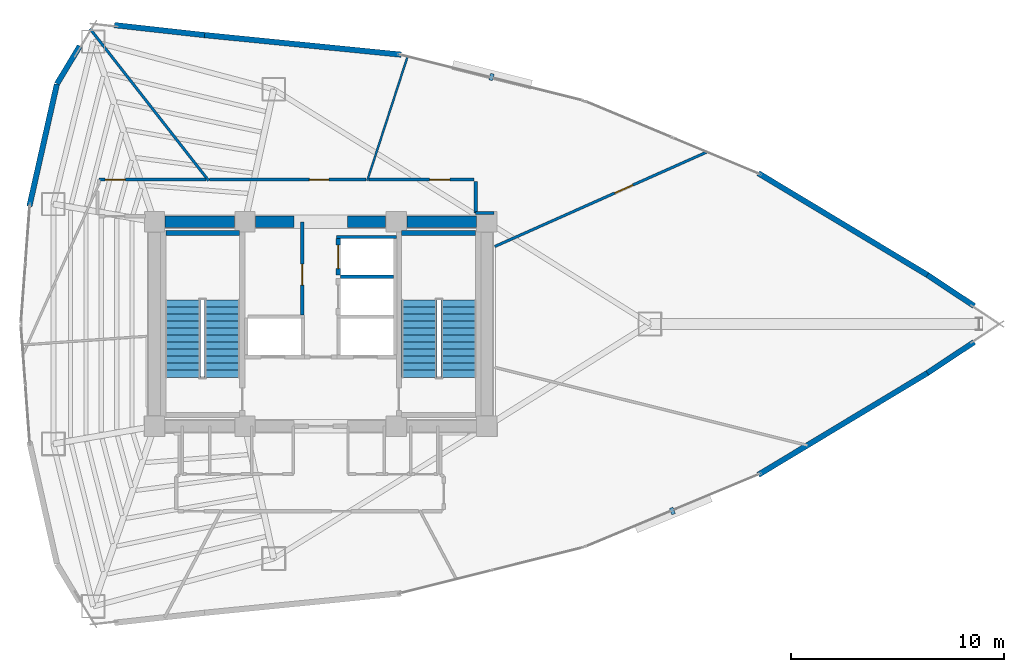
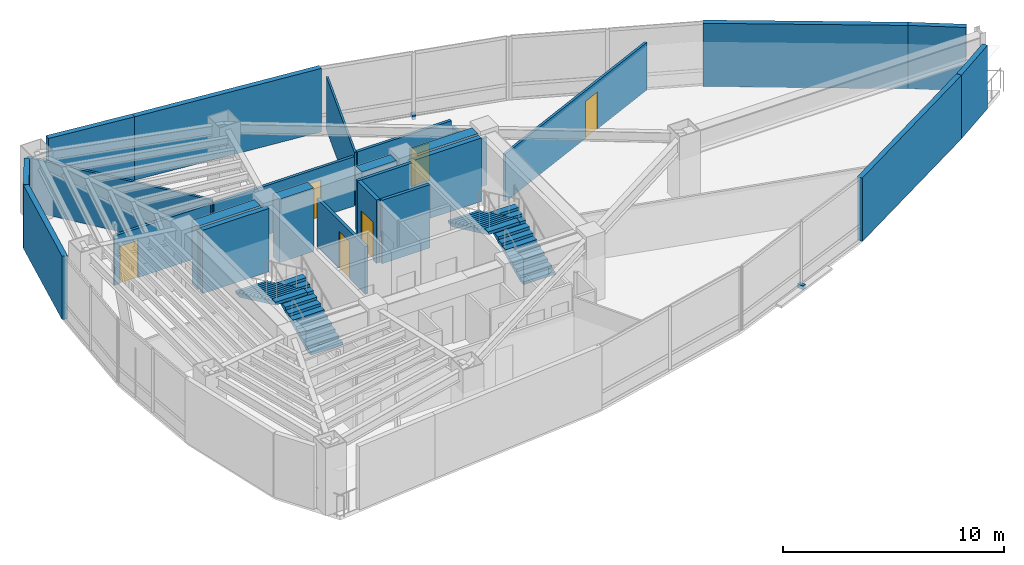
# One storey, part 15 of 18: 26 walls, 6 doors, 4 stair flights, 2 discrete accessories, 6 openings, 2 elements without a shape of their own.
"""IFC4 building model written with IfcOpenShell, lengths in metres."""

from ifc_helpers import new_model, si_unit, direction, frame, frame_2d, origin, origin_2d, place, context, subcontext, project, spatial, polyline, rectangle, outline, extrude, material, layer, layer_set, type_object, element, fill, aggregate, save


model = new_model("IFC4")

# Units and contexts
model_context = context("Model", 3, precision=1e-05, world=origin(), true_north=direction((0.0, 1.0)))
body_context = subcontext(model_context, "Body", "Model", "MODEL_VIEW")
ifc_project = project(units=[si_unit("LENGTHUNIT", "METRE"), si_unit("AREAUNIT", "SQUARE_METRE"), si_unit("VOLUMEUNIT", "CUBIC_METRE"), si_unit("PLANEANGLEUNIT", "RADIAN"), si_unit("MASSUNIT", "GRAM", prefix="KILO")], contexts=[model_context])

# Site, building, storey
site_placement = place(None, origin())
site = spatial("IfcSite", under=ifc_project, at=site_placement, CompositionType="ELEMENT")
building_placement = place(site_placement, origin())
building = spatial("IfcBuilding", under=site, at=building_placement, Name="Menara Vayukalpa", CompositionType="ELEMENT")
storey_placement = place(building_placement, frame((0.0, 0.0, 165.47998046875)))
storey = spatial("IfcBuildingStorey", under=building, at=storey_placement, Name="L41", CompositionType="ELEMENT", Elevation=165.47998046875)

# Walls
ifc_material_1 = material(Name="Concrete C60/75", Category="concrete")
ifc_layer_1 = layer(ifc_material_1, 0.550048828125)
ifc_layer_set_1 = layer_set([ifc_layer_1], Name="Concrete C60/75")
wall_type_1 = type_object("IfcWallType", Name="WAL-CW550", PredefinedType="SHEAR", material=ifc_layer_set_1)
wall_1_placement = place(storey_placement, frame((18.294921875, 26.800048828125, 0.0), z_axis=(0.0, 0.0, 1.0), x_axis=(1.0, 0.0, 0.0)))
element("IfcWall", 1, at=wall_1_placement, inside=storey, type_object=wall_type_1, Name="L41 Buttressed Core Shear Wall CWN1", PredefinedType="SHEAR", context=body_context, shape_type="SweptSolid", body=[
    extrude(rectangle(XDim=3.260009765625, YDim=0.550048828125, at=frame_2d((1.6298828125, 0.0))), origin(), (0.0, 0.0, 1.0), 3.5),
])
wall_2_placement = place(storey_placement, frame((22.544921875, 26.800048828125, 0.0), z_axis=(0.0, 0.0, 1.0), x_axis=(1.0, 0.0, 0.0)))
element("IfcWall", 2, at=wall_2_placement, inside=storey, type_object=wall_type_1, Name="L41 Buttressed Core Shear Wall CWN2", PredefinedType="SHEAR", context=body_context, shape_type="SweptSolid", body=[
    extrude(rectangle(XDim=1.80517578125, YDim=0.550048828125, at=frame_2d((0.902587890625, 0.0))), origin(), (0.0, 0.0, 1.0), 3.5),
])
wall_3_placement = place(storey_placement, frame((26.85009765625, 26.800048828125, 0.0), z_axis=(0.0, 0.0, 1.0), x_axis=(1.0, 0.0, 0.0)))
element("IfcWall", 3, at=wall_3_placement, inside=storey, type_object=wall_type_1, Name="L41 Buttressed Core Shear Wall CWN3", PredefinedType="SHEAR", context=body_context, shape_type="SweptSolid", body=[
    extrude(rectangle(XDim=1.804931640625, YDim=0.550048828125, at=frame_2d((0.90234375, 0.0))), origin(), (0.0, 0.0, 1.0), 3.5),
])
wall_4_placement = place(storey_placement, frame((29.64501953125, 26.800048828125, 0.0), z_axis=(0.0, 0.0, 1.0), x_axis=(1.0, 0.0, 0.0)))
element("IfcWall", 4, at=wall_4_placement, inside=storey, type_object=wall_type_1, Name="L41 Buttressed Core Shear Wall CWN4", PredefinedType="SHEAR", context=body_context, shape_type="SweptSolid", body=[
    extrude(rectangle(XDim=3.260009765625, YDim=0.550048828125, at=frame_2d((1.6298828125, 0.0))), origin(), (0.0, 0.0, 1.0), 3.5),
])
ifc_material_2 = material(Name="Insulated Precast Concrete C40/50", Category="concrete")
ifc_layer_2 = layer(ifc_material_2, 0.260009765625)
ifc_layer_set_2 = layer_set([ifc_layer_2], Name="Insulated Precast Concrete C40/50")
wall_type_2 = type_object("IfcWallType", Name="WAL-EXT260", PredefinedType="PARTITIONING", material=ifc_layer_set_2)
for number, where, z_axis, x_axis, name in (
    (5, (56.278076171875, 21.154541015625, 0.0), (0.0, 0.0, 1.0), (-0.833145530287, -0.553053817782, 0.0), "L41 Perimeter Terracotta Pier Wall 01"),
    (6, (54.081298828125, 24.3037109375, 0.0), (0.0, 0.0, 1.0), (0.833145530287, -0.553053817782, 0.0), "L41 Perimeter Terracotta Pier Wall 02"),
):
    element("IfcWall", number, at=place(storey_placement, frame(where, z_axis=z_axis, x_axis=x_axis)), inside=storey, type_object=wall_type_2, Name=name, PredefinedType="PARTITIONING", context=body_context, shape_type="SweptSolid", body=[
        extrude(rectangle(XDim=2.63671875, YDim=0.260009765625, at=frame_2d((1.318359375, 0.0))), origin(), (0.0, 0.0, 1.0), 3.5),
    ])
wall_5_placement = place(storey_placement, frame((46.14111328125, 29.08203125, 0.0), z_axis=(0.0, 0.0, 1.0), x_axis=(0.856788694159, -0.515667658053, 0.0)))
element("IfcWall", 7, at=wall_5_placement, inside=storey, type_object=wall_type_2, Name="L41 Perimeter Terracotta Pier Wall 03", PredefinedType="PARTITIONING", context=body_context, shape_type="SweptSolid", body=[
    extrude(rectangle(XDim=9.279052734375, YDim=0.260009765625, at=frame_2d((4.6396484375, 0.0))), origin(), (0.0, 0.0, 1.0), 3.5),
])
wall_6_placement = place(storey_placement, frame((20.141357421875, 35.564697265625, 0.0), z_axis=(0.0, 0.0, 1.0), x_axis=(0.9950896707, -0.098977508888, 0.0)))
element("IfcWall", 8, at=wall_6_placement, inside=storey, type_object=wall_type_2, Name="L41 Perimeter Terracotta Pier Wall 06", PredefinedType="PARTITIONING", context=body_context, shape_type="SweptSolid", body=[
    extrude(rectangle(XDim=9.279541015625, YDim=0.260009765625, at=frame_2d((4.6396484375, 0.0))), origin(), (0.0, 0.0, 1.0), 3.5),
])
wall_7_placement = place(storey_placement, frame((15.92138671875, 36.031494140625, 0.0), z_axis=(0.0, 0.0, 1.0), x_axis=(0.993933978819, -0.109978387641, 0.0)))
element("IfcWall", 9, at=wall_7_placement, inside=storey, type_object=wall_type_2, Name="L41 Perimeter Terracotta Pier Wall 07", PredefinedType="PARTITIONING", context=body_context, shape_type="SweptSolid", body=[
    extrude(rectangle(XDim=4.2578125, YDim=0.260009765625, at=frame_2d((2.12890625, 0.0))), origin(), (0.0, 0.0, 1.0), 3.5),
])
wall_8_placement = place(storey_placement, frame((13.22119140625, 33.272216796875, 0.0), z_axis=(0.0, 0.0, 1.0), x_axis=(0.516157331647, 0.856493788061, 0.0)))
element("IfcWall", 10, at=wall_8_placement, inside=storey, type_object=wall_type_2, Name="L41 Perimeter Terracotta Pier Wall 08", PredefinedType="PARTITIONING", context=body_context, shape_type="SweptSolid", body=[
    extrude(rectangle(XDim=2.0732421875, YDim=0.260009765625, at=frame_2d((1.03662109375, 0.0))), origin(), (0.0, 0.0, 1.0), 3.5),
])
wall_9_placement = place(storey_placement, frame((11.925048828125, 27.5244140625, 0.0), z_axis=(0.0, 0.0, 1.0), x_axis=(0.219491422264, 0.975614429758, 0.0)))
element("IfcWall", 11, at=wall_9_placement, inside=storey, type_object=wall_type_2, Name="L41 Perimeter Terracotta Pier Wall 09", PredefinedType="PARTITIONING", context=body_context, shape_type="SweptSolid", body=[
    extrude(rectangle(XDim=5.873046875, YDim=0.260009765625, at=frame_2d((2.9365234375, 0.0))), origin(), (0.0, 0.0, 1.0), 3.5),
])
wall_10_placement = place(storey_placement, frame((54.09130859375, 19.702880859375, 0.0), z_axis=(0.0, 0.0, 1.0), x_axis=(-0.856788694159, -0.515667658053, 0.0)))
element("IfcWall", 12, at=wall_10_placement, inside=storey, type_object=wall_type_2, Name="L41 Perimeter Terracotta Pier Wall 18", PredefinedType="PARTITIONING", context=body_context, shape_type="SweptSolid", body=[
    extrude(rectangle(XDim=9.279052734375, YDim=0.260009765625, at=frame_2d((4.6396484375, 0.0))), origin(), (0.0, 0.0, 1.0), 3.5),
])
ifc_material_3 = material(Name="Lightweight Concrete Blockwork C16/20", Category="masonry")
ifc_layer_3 = layer(ifc_material_3, 0.159912109375)
ifc_layer_set_3 = layer_set([ifc_layer_3], Name="Lightweight Concrete Blockwork C16/20")
wall_type_3 = type_object("IfcWallType", Name="WAL-FR150", PredefinedType="PARTITIONING", material=ifc_layer_set_3)
wall_11_placement = place(storey_placement, frame((26.530029296875, 24.215087890625, 0.0), z_axis=(0.0, 0.0, 1.0), x_axis=(1.0, 0.0, 0.0)))
element("IfcWall", 13, at=wall_11_placement, inside=storey, type_object=wall_type_3, Name="L41 Interior Partition IW-L41-SHM-E32", PredefinedType="PARTITIONING", context=body_context, shape_type="SweptSolid", body=[
    extrude(rectangle(XDim=2.489990234375, YDim=0.159912109375, at=frame_2d((1.2451171875, 0.0))), origin(), (0.0, 0.0, 1.0), 3.5),
])
wall_12_placement = place(storey_placement, frame((26.340087890625, 26.0849609375, 0.0), z_axis=(0.0, 0.0, 1.0), x_axis=(1.0, 0.0, 0.0)))
element("IfcWall", 14, at=wall_12_placement, inside=storey, type_object=wall_type_3, Name="L41 Interior Partition IW-L41-SHM-E2N", PredefinedType="PARTITIONING", context=body_context, shape_type="SweptSolid", body=[
    extrude(rectangle(XDim=2.829833984375, YDim=0.159912109375, at=frame_2d((1.4150390625, 0.0))), origin(), (0.0, 0.0, 1.0), 3.5),
])

# Wall, opening, door
wall_13_placement = place(storey_placement, frame((24.739990234375, 22.429931640625, 0.0), z_axis=(0.0, 0.0, 1.0), x_axis=(0.0, 1.0, 0.0)))
wall_13 = element("IfcWall", 15, at=wall_13_placement, inside=storey, type_object=wall_type_3, Name="L41 Interior Partition IW-L41-LV7W", PredefinedType="PARTITIONING", context=body_context, shape_type="SweptSolid", body=[
    extrude(rectangle(XDim=4.3701171875, YDim=0.159912109375, at=frame_2d((2.18505859375, 0.0))), origin(), (0.0, 0.0, 1.0), 2.630126953125),
])
opening_1_placement = place(wall_13_placement, frame((1.39990234375, 0.0, 0.0)))
opening_1 = element("IfcOpeningElement", 16, at=opening_1_placement, cuts=wall_13, Name="Opening ID3", PredefinedType="OPENING", context=body_context, shape_type="SweptSolid", body=[
    extrude(rectangle(XDim=0.97998046875, YDim=2.06005859375, at=frame_2d((0.489990234375, 1.030029296875))), frame((0.0, 0.08984375, 0.0), z_axis=(0.0, -1.0, 0.0), x_axis=(1.0, 0.0, 0.0)), (0.0, 0.0, 1.0), 0.179931640625),
])
ifc_material_4 = material(Name="Fire-Rated Powder-Coated Steel Door", Category="steel")
door_type_1 = type_object("IfcDoorType", Name="DR-FD60", OperationType="NOTDEFINED", PredefinedType="DOOR", material=ifc_material_4)
door_1_placement = place(opening_1_placement, origin())
door_1 = element("IfcDoor", 17, at=door_1_placement, inside=storey, type_object=door_type_1, Name="L41 Interior Door DR-L41-LV7W", OperationType="SINGLE_SWING_RIGHT", OverallHeight=2.06005859375, OverallWidth=0.97998046875, PredefinedType="DOOR", context=body_context, shape_type="SweptSolid", body=[
    extrude(rectangle(XDim=0.97998046875, YDim=2.06005859375, at=frame_2d((0.489990234375, 1.030029296875))), frame((0.0, 0.02490234375, 0.0), z_axis=(0.0, -1.0, 0.0), x_axis=(1.0, 0.0, 0.0)), (0.0, 0.0, 1.0), 0.050048828125),
])
fill(opening_1, door_1)

ifc_material_5 = material(Name="Lightweight Concrete Blockwork C16/20", Category="masonry")
ifc_layer_4 = layer(ifc_material_5, 0.199951171875)
ifc_layer_set_4 = layer_set([ifc_layer_4], Name="Lightweight Concrete Blockwork C16/20")
wall_type_4 = type_object("IfcWallType", Name="WAL-FR200", PredefinedType="PARTITIONING", material=ifc_layer_set_4)
wall_14_placement = place(storey_placement, frame((26.419921875, 24.2900390625, 0.0), z_axis=(0.0, 0.0, 1.0), x_axis=(0.0, 1.0, 0.0)))
wall_14 = element("IfcWall", 18, at=wall_14_placement, inside=storey, type_object=wall_type_4, Name="L41 Interior Partition IW-L41-SH-E2", PredefinedType="PARTITIONING", context=body_context, shape_type="SweptSolid", body=[
    extrude(rectangle(XDim=1.719970703125, YDim=0.199951171875, at=frame_2d((0.85986328125, 0.0))), origin(), (0.0, 0.0, 1.0), 3.5),
])
opening_2_placement = place(wall_14_placement, frame((0.31005859375, 0.0, 0.0)))
opening_2 = element("IfcOpeningElement", 19, at=opening_2_placement, cuts=wall_14, Name="Opening LD1", PredefinedType="OPENING", context=body_context, shape_type="SweptSolid", body=[
    extrude(rectangle(XDim=1.10009765625, YDim=2.080078125, at=frame_2d((0.550048828125, 1.0400390625))), frame((0.0, 0.10986328125, 0.0), z_axis=(0.0, -1.0, 0.0), x_axis=(1.0, 0.0, 0.0)), (0.0, 0.0, 1.0), 0.219970703125),
])
ifc_material_6 = material(Name="Brushed Stainless Steel 316 Lift Door", Category="steel")
door_type_2 = type_object("IfcDoorType", Name="DR-LD110", OperationType="NOTDEFINED", PredefinedType="DOOR", material=ifc_material_6)
door_2_placement = place(opening_2_placement, origin())
door_2 = element("IfcDoor", 20, at=door_2_placement, inside=storey, type_object=door_type_2, Name="L41 Interior Door DR-L41-LD-E2", OperationType="DOUBLE_DOOR_SLIDING", OverallHeight=2.080078125, OverallWidth=1.10009765625, PredefinedType="DOOR", context=body_context, shape_type="SweptSolid", body=[
    extrude(rectangle(XDim=1.10009765625, YDim=2.080078125, at=frame_2d((0.550048828125, 1.0400390625))), frame((0.0, 0.02490234375, 0.0), z_axis=(0.0, -1.0, 0.0), x_axis=(1.0, 0.0, 0.0)), (0.0, 0.0, 1.0), 0.050048828125),
])
fill(opening_2, door_2)

# Wall
ifc_material_7 = material(Name="Glazed Demountable Office Partition", Category="glass")
ifc_layer_5 = layer(ifc_material_7, 0.094970703125)
ifc_layer_set_5 = layer_set([ifc_layer_5], Name="Glazed Demountable Office Partition")
wall_type_5 = type_object("IfcWallType", Name="WAL-PT100", PredefinedType="PARTITIONING", material=ifc_layer_set_5)
wall_15_placement = place(storey_placement, frame((27.78662109375, 28.72998046875, 0.0), z_axis=(0.0, 0.0, 1.0), x_axis=(0.309017664707, 0.951056298491, 0.0)))
element("IfcWall", 21, at=wall_15_placement, inside=storey, type_object=wall_type_5, Name="L41 Interior Partition IW-L41-RDIV02", PredefinedType="PARTITIONING", context=body_context, shape_type="SweptSolid", body=[
    extrude(rectangle(XDim=6.13330078125, YDim=0.094970703125, at=frame_2d((3.066650390625, 0.0))), origin(), (0.0, 0.0, 1.0), 2.929931640625),
])

# Wall, opening, door
ifc_material_8 = material(Name="Gypsum Drywall Steel Stud Assembly", Category="steel")
ifc_layer_6 = layer(ifc_material_8, 0.125)
ifc_layer_set_6 = layer_set([ifc_layer_6], Name="Gypsum Drywall Steel Stud Assembly")
wall_type_6 = type_object("IfcWallType", Name="WAL-PT125", PredefinedType="PARTITIONING", material=ifc_layer_set_6)
wall_16_placement = place(storey_placement, frame((33.77001953125, 25.637451171875, 0.0), z_axis=(0.0, 0.0, 1.0), x_axis=(0.913542006179, 0.406744395102, 0.0)))
wall_16 = element("IfcWall", 22, at=wall_16_placement, inside=storey, type_object=wall_type_6, Name="L41 Interior Partition IW-L41-RDIV01", PredefinedType="PARTITIONING", context=body_context, shape_type="SweptSolid", body=[
    extrude(rectangle(XDim=10.91455078125, YDim=0.125, at=frame_2d((5.457275390625, 0.0))), origin(), (0.0, 0.0, 1.0), 2.630126953125),
])
opening_3_placement = place(wall_16_placement, frame((6.176513671875, 0.0, 0.0)))
opening_3 = element("IfcOpeningElement", 23, at=opening_3_placement, cuts=wall_16, Name="Opening ID6", PredefinedType="OPENING", context=body_context, shape_type="SweptSolid", body=[
    extrude(rectangle(XDim=0.919921875, YDim=2.050048828125, at=frame_2d((0.4599609375, 1.02490234375))), frame((0.0, 0.072509765625, 0.0), z_axis=(0.0, -1.0, 0.0), x_axis=(1.0, 0.0, 0.0)), (0.0, 0.0, 1.0), 0.14501953125),
])
ifc_material_9 = material(Name="Acoustic Hardwood Veneer Timber Door", Category="wood")
door_type_3 = type_object("IfcDoorType", Name="DR-INT92", OperationType="NOTDEFINED", PredefinedType="DOOR", material=ifc_material_9)
door_3_placement = place(opening_3_placement, origin())
door_3 = element("IfcDoor", 24, at=door_3_placement, inside=storey, type_object=door_type_3, Name="L41 Interior Door DR-L41-STE04", OperationType="SINGLE_SWING_RIGHT", OverallHeight=2.050048828125, OverallWidth=0.919921875, PredefinedType="DOOR", context=body_context, shape_type="SweptSolid", body=[
    extrude(rectangle(XDim=0.919921875, YDim=2.050048828125, at=frame_2d((0.4599609375, 1.02490234375))), frame((0.0, 0.02490234375, 0.0), z_axis=(0.0, -1.0, 0.0), x_axis=(1.0, 0.0, 0.0)), (0.0, 0.0, 1.0), 0.050048828125),
])
fill(opening_3, door_3)

# Walls
wall_17_placement = place(storey_placement, frame((20.341796875, 28.72998046875, 0.0), z_axis=(0.0, 0.0, 1.0), x_axis=(-0.615659223334, 0.78801251305, 0.0)))
element("IfcWall", 25, at=wall_17_placement, inside=storey, type_object=wall_type_6, Name="L41 Interior Partition IW-L41-RDIV03", PredefinedType="PARTITIONING", context=body_context, shape_type="SweptSolid", body=[
    extrude(rectangle(XDim=9.050048828125, YDim=0.125, at=frame_2d((4.52490234375, 0.0))), origin(), (0.0, 0.0, 1.0), 2.929931640625),
])
ifc_material_10 = material(Name="Gypsum Drywall Acoustic Stud Assembly", Category="masonry")
ifc_layer_7 = layer(ifc_material_10, 0.14501953125)
ifc_layer_set_7 = layer_set([ifc_layer_7], Name="Gypsum Drywall Acoustic Stud Assembly")
wall_type_7 = type_object("IfcWallType", Name="WAL-PT150", PredefinedType="PARTITIONING", material=ifc_layer_set_7)
wall_18_placement = place(storey_placement, frame((33.739990234375, 27.219970703125, 0.0), z_axis=(0.0, 0.0, 1.0), x_axis=(-1.0, 0.0, 0.0)))
element("IfcWall", 26, at=wall_18_placement, inside=storey, type_object=wall_type_7, Name="L41 Interior Partition IW-L41-CRM05-1", PredefinedType="PARTITIONING", context=body_context, shape_type="SweptSolid", body=[
    extrude(rectangle(XDim=0.860107421875, YDim=0.14501953125, at=frame_2d((0.43017578125, 0.0))), origin(), (0.0, 0.0, 1.0), 2.630126953125),
])
wall_19_placement = place(storey_placement, frame((32.8798828125, 27.219970703125, 0.0), z_axis=(0.0, 0.0, 1.0), x_axis=(0.0, 1.0, 0.0)))
element("IfcWall", 27, at=wall_19_placement, inside=storey, type_object=wall_type_7, Name="L41 Interior Partition IW-L41-CRM05-2", PredefinedType="PARTITIONING", context=body_context, shape_type="SweptSolid", body=[
    extrude(rectangle(XDim=1.47998046875, YDim=0.14501953125, at=frame_2d((0.739990234375, 0.0))), origin(), (0.0, 0.0, 1.0), 2.630126953125),
])

# Wall, opening, door
wall_20_placement = place(storey_placement, frame((32.800048828125, 28.780029296875, 0.0), z_axis=(0.0, 0.0, 1.0), x_axis=(-1.0, 0.0, 0.0)))
wall_20 = element("IfcWall", 28, at=wall_20_placement, inside=storey, type_object=wall_type_7, Name="L41 Interior Partition IW-L41-CRM05-3", PredefinedType="PARTITIONING", context=body_context, shape_type="SweptSolid", body=[
    extrude(rectangle(XDim=4.92333984375, YDim=0.14501953125, at=frame_2d((2.461669921875, 0.0))), origin(), (0.0, 0.0, 1.0), 2.929931640625),
])
opening_4_placement = place(wall_20_placement, frame((1.13330078125, 0.0, 0.0)))
opening_4 = element("IfcOpeningElement", 29, at=opening_4_placement, cuts=wall_20, Name="Opening ID5", PredefinedType="OPENING", context=body_context, shape_type="SweptSolid", body=[
    extrude(rectangle(XDim=0.949951171875, YDim=2.06005859375, at=frame_2d((0.47509765625, 1.030029296875))), frame((0.0, 0.08251953125, 0.0), z_axis=(0.0, -1.0, 0.0), x_axis=(1.0, 0.0, 0.0)), (0.0, 0.0, 1.0), 0.1650390625),
])
ifc_material_11 = material(Name="Acoustic Hardwood Veneer Timber Door", Category="wood")
door_type_4 = type_object("IfcDoorType", Name="DR-INT95", OperationType="NOTDEFINED", PredefinedType="DOOR", material=ifc_material_11)
door_4_placement = place(opening_4_placement, origin())
door_4 = element("IfcDoor", 30, at=door_4_placement, inside=storey, type_object=door_type_4, Name="L41 Interior Door DR-L41-RM05", OperationType="SINGLE_SWING_RIGHT", OverallHeight=2.06005859375, OverallWidth=0.949951171875, PredefinedType="DOOR", context=body_context, shape_type="SweptSolid", body=[
    extrude(rectangle(XDim=0.949951171875, YDim=2.06005859375, at=frame_2d((0.47509765625, 1.030029296875))), frame((0.0, 0.02490234375, 0.0), z_axis=(0.0, -1.0, 0.0), x_axis=(1.0, 0.0, 0.0)), (0.0, 0.0, 1.0), 0.050048828125),
])
fill(opening_4, door_4)

wall_21_placement = place(storey_placement, frame((27.7294921875, 28.780029296875, 0.0), z_axis=(0.0, 0.0, 1.0), x_axis=(-1.0, 0.0, 0.0)))
wall_21 = element("IfcWall", 31, at=wall_21_placement, inside=storey, type_object=wall_type_7, Name="L41 Interior Partition IW-L41-CRM06-1", PredefinedType="PARTITIONING", context=body_context, shape_type="SweptSolid", body=[
    extrude(rectangle(XDim=7.337890625, YDim=0.14501953125, at=frame_2d((3.6689453125, 0.0))), origin(), (0.0, 0.0, 1.0), 2.72998046875),
])
opening_5_placement = place(wall_21_placement, frame((1.744384765625, 0.0, 0.0)))
opening_5 = element("IfcOpeningElement", 32, at=opening_5_placement, cuts=wall_21, Name="Opening ID6", PredefinedType="OPENING", context=body_context, shape_type="SweptSolid", body=[
    extrude(rectangle(XDim=0.919921875, YDim=2.050048828125, at=frame_2d((0.4599609375, 1.02490234375))), frame((0.0, 0.08251953125, 0.0), z_axis=(0.0, -1.0, 0.0), x_axis=(1.0, 0.0, 0.0)), (0.0, 0.0, 1.0), 0.1650390625),
])
door_5_placement = place(opening_5_placement, origin())
door_5 = element("IfcDoor", 33, at=door_5_placement, inside=storey, type_object=door_type_3, Name="L41 Interior Door DR-L41-RM06", OperationType="SINGLE_SWING_LEFT", OverallHeight=2.050048828125, OverallWidth=0.919921875, PredefinedType="DOOR", context=body_context, shape_type="SweptSolid", body=[
    extrude(rectangle(XDim=0.919921875, YDim=2.050048828125, at=frame_2d((0.4599609375, 1.02490234375))), frame((0.0, 0.02490234375, 0.0), z_axis=(0.0, -1.0, 0.0), x_axis=(1.0, 0.0, 0.0)), (0.0, 0.0, 1.0), 0.050048828125),
])
fill(opening_5, door_5)

wall_22_placement = place(storey_placement, frame((20.214111328125, 28.780029296875, 0.0), z_axis=(0.0, 0.0, 1.0), x_axis=(-1.0, 0.0, 0.0)))
wall_22 = element("IfcWall", 34, at=wall_22_placement, inside=storey, type_object=wall_type_7, Name="L41 Interior Partition IW-L41-CRM07-1", PredefinedType="PARTITIONING", context=body_context, shape_type="SweptSolid", body=[
    extrude(rectangle(XDim=5.01416015625, YDim=0.14501953125, at=frame_2d((2.507080078125, 0.0))), origin(), (0.0, 0.0, 1.0), 2.72998046875),
])
opening_6_placement = place(wall_22_placement, frame((3.7841796875, 0.0, 0.0)))
opening_6 = element("IfcOpeningElement", 35, at=opening_6_placement, cuts=wall_22, Name="Opening ID5", PredefinedType="OPENING", context=body_context, shape_type="SweptSolid", body=[
    extrude(rectangle(XDim=0.949951171875, YDim=2.06005859375, at=frame_2d((0.47509765625, 1.030029296875))), frame((0.0, 0.08251953125, 0.0), z_axis=(0.0, -1.0, 0.0), x_axis=(1.0, 0.0, 0.0)), (0.0, 0.0, 1.0), 0.1650390625),
])
door_6_placement = place(opening_6_placement, origin())
door_6 = element("IfcDoor", 36, at=door_6_placement, inside=storey, type_object=door_type_4, Name="L41 Interior Door DR-L41-RM07", OperationType="SINGLE_SWING_RIGHT", OverallHeight=2.06005859375, OverallWidth=0.949951171875, PredefinedType="DOOR", context=body_context, shape_type="SweptSolid", body=[
    extrude(rectangle(XDim=0.949951171875, YDim=2.06005859375, at=frame_2d((0.47509765625, 1.030029296875))), frame((0.0, 0.02490234375, 0.0), z_axis=(0.0, -1.0, 0.0), x_axis=(1.0, 0.0, 0.0)), (0.0, 0.0, 1.0), 0.050048828125),
])
fill(opening_6, door_6)

# Walls
ifc_material_12 = material(Name="Concrete C50/60", Category="concrete")
ifc_layer_8 = layer(ifc_material_12, 0.25)
ifc_layer_set_8 = layer_set([ifc_layer_8], Name="Concrete C50/60")
wall_type_8 = type_object("IfcWallType", Name="WAL-SW250", PredefinedType="SHEAR", material=ifc_layer_set_8)
wall_23_placement = place(storey_placement, frame((18.3291015625, 26.27490234375, 0.0), z_axis=(0.0, 0.0, 1.0), x_axis=(1.0, 0.0, 0.0)))
element("IfcWall", 37, at=wall_23_placement, inside=storey, type_object=wall_type_8, Name="L41 ST1 Structural Stair Shaft Wall N", PredefinedType="SHEAR", context=body_context, shape_type="SweptSolid", body=[
    extrude(rectangle(XDim=3.470947265625, YDim=0.25, at=frame_2d((1.7353515625, 0.0))), origin(), (0.0, 0.0, 1.0), 3.5),
])
wall_24_placement = place(storey_placement, frame((29.39990234375, 26.27490234375, 0.0), z_axis=(0.0, 0.0, 1.0), x_axis=(1.0, 0.0, 0.0)))
element("IfcWall", 38, at=wall_24_placement, inside=storey, type_object=wall_type_8, Name="L41 ST2 Structural Stair Shaft Wall N", PredefinedType="SHEAR", context=body_context, shape_type="SweptSolid", body=[
    extrude(rectangle(XDim=3.47119140625, YDim=0.25, at=frame_2d((1.735595703125, 0.0))), origin(), (0.0, 0.0, 1.0), 3.5),
])

# Stair, stair flights
ifc_material_13 = material(Name="Precast Concrete C40/50", Category="concrete")
stair_type = type_object("IfcStairType", Name="STR-T04", PredefinedType="DOUBLE_RETURN_STAIR", material=ifc_material_13)
stair_1_placement = place(storey_placement, origin())
stair_1 = element("IfcStair", 39, at=stair_1_placement, inside=storey, type_object=stair_type, Name="L41 Core Exit Stair ST-1", PredefinedType="DOUBLE_RETURN_STAIR")
ifc_material_14 = material(Name="Precast Concrete C40/50", Category="concrete")
stair_flight_type = type_object("IfcStairFlightType", Name="STF-T04", PredefinedType="STRAIGHT", material=ifc_material_14)
stair_flight_1_placement = place(storey_placement, frame((20.97509765625, 19.5, 0.0), z_axis=(0.0, 0.0, 1.0), x_axis=(0.0, 1.0, 0.0)))
stair_flight_1 = element("IfcStairFlight", 40, at=stair_flight_1_placement, type_object=stair_flight_type, Name="ST-1 flight 1", NumberOfRisers=12, NumberOfTreads=11, PredefinedType="STRAIGHT", RiserHeight=0.155, TreadLength=0.33, context=body_context, shape_type="SweptSolid", body=[
    extrude(outline(polyline([(0.0, 0.0), (0.0, 0.155029296875), (0.330078125, 0.155029296875), (0.330078125, 0.31005859375), (0.659912109375, 0.31005859375), (0.659912109375, 0.465087890625), (0.989990234375, 0.465087890625), (0.989990234375, 0.6201171875), (1.320068359375, 0.6201171875), (1.320068359375, 0.77490234375), (1.64990234375, 0.77490234375), (1.64990234375, 0.929931640625), (1.97998046875, 0.929931640625), (1.97998046875, 1.0849609375), (2.31005859375, 1.0849609375), (2.31005859375, 1.239990234375), (2.639892578125, 1.239990234375), (2.639892578125, 1.39501953125), (2.969970703125, 1.39501953125), (2.969970703125, 1.550048828125), (3.300048828125, 1.550048828125), (3.300048828125, 1.705078125), (3.6298828125, 1.705078125), (3.6298828125, 1.860107421875), (3.6298828125, 1.539306640625), (0.3525390625, 0.0), (0.0, 0.0)])), frame((0.0, 0.824951171875, 0.0), z_axis=(0.0, -1.0, 0.0), x_axis=(1.0, 0.0, 0.0)), (0.0, 0.0, 1.0), 1.64990234375),
])
stair_flight_2_placement = place(storey_placement, frame((19.125, 23.1298828125, 1.860107421875), z_axis=(0.0, 0.0, 1.0), x_axis=(0.0, -1.0, 0.0)))
stair_flight_2 = element("IfcStairFlight", 41, at=stair_flight_2_placement, type_object=stair_flight_type, Name="ST-1 flight 2", NumberOfRisers=12, NumberOfTreads=11, PredefinedType="STRAIGHT", RiserHeight=0.155, TreadLength=0.33, context=body_context, shape_type="SweptSolid", body=[
    extrude(outline(polyline([(0.0, 0.0), (0.0, 0.155029296875), (0.330078125, 0.155029296875), (0.330078125, 0.31005859375), (0.659912109375, 0.31005859375), (0.659912109375, 0.465087890625), (0.989990234375, 0.465087890625), (0.989990234375, 0.6201171875), (1.320068359375, 0.6201171875), (1.320068359375, 0.77490234375), (1.64990234375, 0.77490234375), (1.64990234375, 0.929931640625), (1.97998046875, 0.929931640625), (1.97998046875, 1.0849609375), (2.31005859375, 1.0849609375), (2.31005859375, 1.239990234375), (2.639892578125, 1.239990234375), (2.639892578125, 1.39501953125), (2.969970703125, 1.39501953125), (2.969970703125, 1.550048828125), (3.300048828125, 1.550048828125), (3.300048828125, 1.705078125), (3.6298828125, 1.705078125), (3.6298828125, 1.860107421875), (3.6298828125, 1.539306640625), (0.3525390625, 0.0), (0.0, 0.0)])), frame((0.0, 0.824951171875, 0.0), z_axis=(0.0, -1.0, 0.0), x_axis=(1.0, 0.0, 0.0)), (0.0, 0.0, 1.0), 1.64990234375),
])
aggregate(stair_1, [stair_flight_1, stair_flight_2])

stair_2_placement = place(storey_placement, origin())
stair_2 = element("IfcStair", 42, at=stair_2_placement, inside=storey, type_object=stair_type, Name="L41 Core Exit Stair ST-2", PredefinedType="DOUBLE_RETURN_STAIR")
stair_flight_3_placement = place(storey_placement, frame((32.074951171875, 19.5, 0.0), z_axis=(0.0, 0.0, 1.0), x_axis=(0.0, 1.0, 0.0)))
stair_flight_3 = element("IfcStairFlight", 43, at=stair_flight_3_placement, type_object=stair_flight_type, Name="ST-2 flight 1", NumberOfRisers=12, NumberOfTreads=11, PredefinedType="STRAIGHT", RiserHeight=0.155, TreadLength=0.33, context=body_context, shape_type="SweptSolid", body=[
    extrude(outline(polyline([(0.0, 0.0), (0.0, 0.155029296875), (0.330078125, 0.155029296875), (0.330078125, 0.31005859375), (0.659912109375, 0.31005859375), (0.659912109375, 0.465087890625), (0.989990234375, 0.465087890625), (0.989990234375, 0.6201171875), (1.320068359375, 0.6201171875), (1.320068359375, 0.77490234375), (1.64990234375, 0.77490234375), (1.64990234375, 0.929931640625), (1.97998046875, 0.929931640625), (1.97998046875, 1.0849609375), (2.31005859375, 1.0849609375), (2.31005859375, 1.239990234375), (2.639892578125, 1.239990234375), (2.639892578125, 1.39501953125), (2.969970703125, 1.39501953125), (2.969970703125, 1.550048828125), (3.300048828125, 1.550048828125), (3.300048828125, 1.705078125), (3.6298828125, 1.705078125), (3.6298828125, 1.860107421875), (3.6298828125, 1.539306640625), (0.3525390625, 0.0), (0.0, 0.0)])), frame((0.0, 0.824951171875, 0.0), z_axis=(0.0, -1.0, 0.0), x_axis=(1.0, 0.0, 0.0)), (0.0, 0.0, 1.0), 1.64990234375),
])
stair_flight_4_placement = place(storey_placement, frame((30.22509765625, 23.1298828125, 1.860107421875), z_axis=(0.0, 0.0, 1.0), x_axis=(0.0, -1.0, 0.0)))
stair_flight_4 = element("IfcStairFlight", 44, at=stair_flight_4_placement, type_object=stair_flight_type, Name="ST-2 flight 2", NumberOfRisers=12, NumberOfTreads=11, PredefinedType="STRAIGHT", RiserHeight=0.155, TreadLength=0.33, context=body_context, shape_type="SweptSolid", body=[
    extrude(outline(polyline([(0.0, 0.0), (0.0, 0.155029296875), (0.330078125, 0.155029296875), (0.330078125, 0.31005859375), (0.659912109375, 0.31005859375), (0.659912109375, 0.465087890625), (0.989990234375, 0.465087890625), (0.989990234375, 0.6201171875), (1.320068359375, 0.6201171875), (1.320068359375, 0.77490234375), (1.64990234375, 0.77490234375), (1.64990234375, 0.929931640625), (1.97998046875, 0.929931640625), (1.97998046875, 1.0849609375), (2.31005859375, 1.0849609375), (2.31005859375, 1.239990234375), (2.639892578125, 1.239990234375), (2.639892578125, 1.39501953125), (2.969970703125, 1.39501953125), (2.969970703125, 1.550048828125), (3.300048828125, 1.550048828125), (3.300048828125, 1.705078125), (3.6298828125, 1.705078125), (3.6298828125, 1.860107421875), (3.6298828125, 1.539306640625), (0.3525390625, 0.0), (0.0, 0.0)])), frame((0.0, 0.824951171875, 0.0), z_axis=(0.0, -1.0, 0.0), x_axis=(1.0, 0.0, 0.0)), (0.0, 0.0, 1.0), 1.64990234375),
])
aggregate(stair_2, [stair_flight_3, stair_flight_4])

# Discrete accessories
ifc_material_15 = material(Name="Stainless Steel 316 Sunshade Bracket", Category="steel")
discrete_accessory_type = type_object("IfcDiscreteAccessoryType", Name="ACC-BRK1", PredefinedType="BRACKET", material=ifc_material_15)
for number, where, z_axis, x_axis, name in (
    (45, (33.62109375, 33.596435546875, -0.16015625), (0.0, 0.0, 1.0), (-0.969999438853, 0.243107154615, 0.0), "L41 Terracotta Sunshade Bracket 05"),
    (46, (42.110107421875, 13.220947265625, -0.16015625), (0.0, 0.0, 1.0), (0.922881225826, 0.38508472187, 0.0), "L41 Terracotta Sunshade Bracket 17"),
):
    element("IfcDiscreteAccessory", number, at=place(storey_placement, frame(where, z_axis=z_axis, x_axis=x_axis)), inside=storey, type_object=discrete_accessory_type, Name=name, PredefinedType="BRACKET", context=body_context, shape_type="SweptSolid", body=[
        extrude(rectangle(XDim=0.179931640625, YDim=0.320068359375, at=origin_2d()), origin(), (0.0, 0.0, 1.0), 0.219970703125),
    ])

save(model, "model.ifc")
